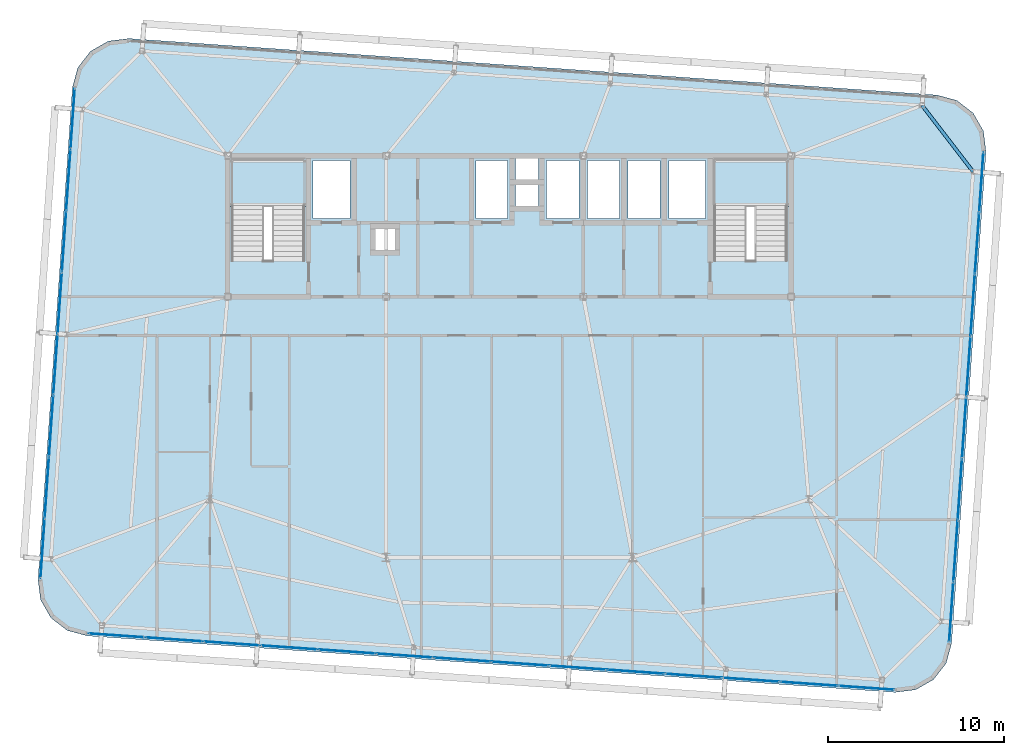
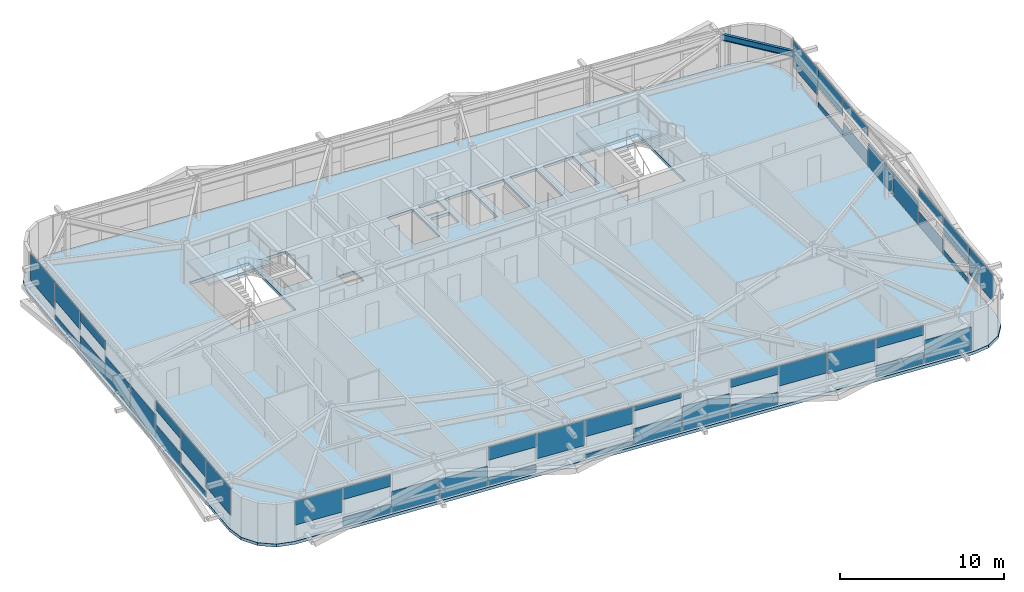
# One storey, part 31 of 47: 44 plates, 3 slabs, 1 beam, 5 elements without a shape of their own.
"""IFC4 building model written with IfcOpenShell, lengths in metres."""

from ifc_helpers import new_model, si_unit, direction, frame, origin, origin_2d, place, context, subcontext, project, spatial, polyline, rectangle, i_section, outline, extrude, source, transform, mapped, material, layer, layer_set, material_profile, profile_set, type_object, element, aggregate, save


model = new_model("IFC4")

# Units and contexts
model_context = context("Model", 3, precision=1e-05, world=origin(), true_north=direction((0.0, 1.0)))
body_context = subcontext(model_context, "Body", "Model", "MODEL_VIEW")
ifc_project = project(units=[si_unit("LENGTHUNIT", "METRE"), si_unit("AREAUNIT", "SQUARE_METRE"), si_unit("VOLUMEUNIT", "CUBIC_METRE"), si_unit("PLANEANGLEUNIT", "RADIAN"), si_unit("MASSUNIT", "GRAM", prefix="KILO")], contexts=[model_context])

# Site, building, storey
site_placement = place(None, origin())
site = spatial("IfcSite", under=ifc_project, at=site_placement, CompositionType="ELEMENT")
building_placement = place(site_placement, origin())
building = spatial("IfcBuilding", under=site, at=building_placement, Name="Taldren Reach Tower", CompositionType="ELEMENT")
storey_placement = place(building_placement, frame((0.0, 0.0, 139.300048828125)))
storey = spatial("IfcBuildingStorey", under=building, at=storey_placement, Name="L42", CompositionType="ELEMENT", Elevation=139.300048828125)

# Beam
ifc_material_1 = material(Name="Steel Gr 350 (350PLUS)", Category="steel")
ifc_material_profile = material_profile(ifc_material_1, i_section(OverallWidth=0.18994140625, OverallDepth=0.4541015625, WebThickness=0.008544921875, FlangeThickness=0.0126953125, at=origin_2d()), Name="460UB67.1")
ifc_profile_set = profile_set([ifc_material_profile], Name="Steel Gr 350 (350PLUS)")
beam_type = type_object("IfcBeamType", Name="SP-UB460B", PredefinedType="SPANDREL", material=ifc_profile_set)
shared_shape_1 = source(origin(), body_context, "Body", "SweptSolid", [
    extrude(i_section(OverallWidth=0.18994140625, OverallDepth=0.4541015625, WebThickness=0.008544921875, FlangeThickness=0.0126953125, at=origin_2d()), origin(), (0.0, 0.0, 1.0), 4.745849609375),
])
beam_placement = place(storey_placement, frame((61.3310546875, 31.1005859375, 2.702880859375), z_axis=(-0.609904656723, 0.792474800677, 0.0), x_axis=(-0.792474800677, -0.609904656723, 0.0)))
element("IfcBeam", 1, at=beam_placement, inside=storey, type_object=beam_type, Name="Perimeter spandrel B3 E3-N6 L42", PredefinedType="SPANDREL", context=body_context, shape_type="MappedRepresentation", body=[
    mapped(shared_shape_1, transform((0.0, 0.0, 0.0), scale=1.0)),
])

# Slab
ifc_material_2 = material(Name="Concrete N40 (40 MPa)", Category="concrete")
ifc_layer_1 = layer(ifc_material_2, 0.219970703125)
ifc_layer_set_1 = layer_set([ifc_layer_1], Name="Concrete N40 (40 MPa)")
slab_type_1 = type_object("IfcSlabType", Name="SL-FLR-220", PredefinedType="FLOOR", material=ifc_layer_set_1)
slab_1_placement = place(storey_placement, frame((0.0, 0.0, -0.219970703125)))
element("IfcSlab", 2, at=slab_1_placement, inside=storey, type_object=slab_type_1, Name="Suspended floor slab L42", PredefinedType="FLOOR", context=body_context, shape_type="SweptSolid", body=[
    extrude(outline(polyline([(56.908203125, 1.537109375), (58.0693359375, 1.684814453125), (59.08544921875, 2.265625), (59.80224609375, 3.191162109375), (60.110107421875, 4.320556640625), (62.063232421875, 32.252197265625), (61.91552734375, 33.413330078125), (61.334716796875, 34.4296875), (60.4091796875, 35.146240234375), (59.27978515625, 35.4541015625), (13.391845703125, 38.6630859375), (12.230712890625, 38.515380859375), (11.21435546875, 37.934326171875), (10.497802734375, 37.0087890625), (10.18994140625, 35.879638671875), (8.23681640625, 7.94775390625), (8.384521484375, 6.78662109375), (8.96533203125, 5.770263671875), (9.890869140625, 5.0537109375), (11.020263671875, 4.745849609375), (56.908203125, 1.537109375)]), holes=[polyline([(19.219970703125, 26.050048828125), (23.3798828125, 26.050048828125), (23.3798828125, 31.820068359375), (19.219970703125, 31.820068359375), (19.219970703125, 26.050048828125)]), polyline([(46.6201171875, 26.050048828125), (50.780029296875, 26.050048828125), (50.780029296875, 31.820068359375), (46.6201171875, 31.820068359375), (46.6201171875, 26.050048828125)]), polyline([(23.85009765625, 28.449951171875), (25.949951171875, 28.449951171875), (25.949951171875, 31.75), (23.85009765625, 31.75), (23.85009765625, 28.449951171875)]), polyline([(44.050048828125, 28.449951171875), (46.14990234375, 28.449951171875), (46.14990234375, 31.75), (44.050048828125, 31.75), (44.050048828125, 28.449951171875)]), polyline([(33.10009765625, 28.449951171875), (34.89990234375, 28.449951171875), (34.89990234375, 31.75), (33.10009765625, 31.75), (33.10009765625, 28.449951171875)]), polyline([(37.10009765625, 28.449951171875), (38.949951171875, 28.449951171875), (38.949951171875, 31.75), (37.10009765625, 31.75), (37.10009765625, 28.449951171875)]), polyline([(39.449951171875, 28.449951171875), (41.25, 28.449951171875), (41.25, 31.75), (39.449951171875, 31.75), (39.449951171875, 28.449951171875)]), polyline([(41.75, 28.449951171875), (43.550048828125, 28.449951171875), (43.550048828125, 31.75), (41.75, 31.75), (41.75, 28.449951171875)]), polyline([(35.35009765625, 30.64990234375), (36.64990234375, 30.64990234375), (36.64990234375, 31.85009765625), (35.35009765625, 31.85009765625), (35.35009765625, 30.64990234375)]), polyline([(35.35009765625, 29.14990234375), (36.64990234375, 29.14990234375), (36.64990234375, 30.35009765625), (35.35009765625, 30.35009765625), (35.35009765625, 29.14990234375)]), polyline([(27.39990234375, 26.64990234375), (28.5, 26.64990234375), (28.5, 27.85009765625), (27.39990234375, 27.85009765625), (27.39990234375, 26.64990234375)])]), origin(), (0.0, 0.0, 1.0), 0.219970703125),
])

# Stair, slab
ifc_material_3 = material(Name="Concrete S50 (50 MPa)", Category="concrete")
stair_type = type_object("IfcStairType", Name="ST-HT-315", PredefinedType="HALF_TURN_STAIR", material=ifc_material_3)
stair_1_placement = place(storey_placement, origin())
stair_1 = element("IfcStair", 3, at=stair_1_placement, inside=storey, type_object=stair_type, Name="Fire-isolated exit stair ST1 L42", PredefinedType="HALF_TURN_STAIR")
ifc_layer_2 = layer(ifc_material_3, 0.179931640625)
ifc_layer_set_2 = layer_set([ifc_layer_2], Name="Concrete S50 (50 MPa)")
slab_type_2 = type_object("IfcSlabType", Name="SL-LAND-180", PredefinedType="LANDING", material=ifc_layer_set_2)
slab_2_placement = place(storey_placement, frame((0.0, 0.0, 1.39501953125)))
slab_2 = element("IfcSlab", 4, at=slab_2_placement, type_object=slab_type_2, Name="ST1 landing 1", PredefinedType="LANDING", context=body_context, shape_type="SweptSolid", body=[
    extrude(outline(polyline([(19.0400390625, 29.135009765625), (23.56005859375, 29.135009765625), (23.56005859375, 31.8701171875), (19.0400390625, 31.8701171875), (19.0400390625, 29.135009765625)])), origin(), (0.0, 0.0, 1.0), 0.179931640625),
])
aggregate(stair_1, [slab_2])

stair_2_placement = place(storey_placement, origin())
stair_2 = element("IfcStair", 5, at=stair_2_placement, inside=storey, type_object=stair_type, Name="Fire-isolated exit stair ST2 L42", PredefinedType="HALF_TURN_STAIR")
slab_3_placement = place(storey_placement, frame((0.0, 0.0, 1.39501953125)))
slab_3 = element("IfcSlab", 6, at=slab_3_placement, type_object=slab_type_2, Name="ST2 landing 1", PredefinedType="LANDING", context=body_context, shape_type="SweptSolid", body=[
    extrude(outline(polyline([(46.43994140625, 29.135009765625), (50.9599609375, 29.135009765625), (50.9599609375, 31.8701171875), (46.43994140625, 31.8701171875), (46.43994140625, 29.135009765625)])), origin(), (0.0, 0.0, 1.0), 0.179931640625),
])
aggregate(stair_2, [slab_3])

# Curtain wall, plates
ifc_material_4 = material(Name="Aluminium and Low-E Glass Unitised System", Category="aluminium")
ifc_layer_3 = layer(ifc_material_4, 0.159912109375)
ifc_layer_set_3 = layer_set([ifc_layer_3], Name="Aluminium and Low-E Glass Unitised System")
curtain_wall_type = type_object("IfcCurtainWallType", Name="CW-SYS-4", PredefinedType="NOTDEFINED", material=ifc_layer_set_3)
curtain_wall_1_placement = place(storey_placement, origin())
curtain_wall_1 = element("IfcCurtainWall", 7, at=curtain_wall_1_placement, inside=storey, type_object=curtain_wall_type, Name="Unitised curtain wall CW-L42-S", PredefinedType="NOTDEFINED")
ifc_material_5 = material(Name="Solar-Control Double Glazed IGU", Category="glass")
ifc_layer_4 = layer(ifc_material_5, 0.031982421875)
ifc_layer_set_4 = layer_set([ifc_layer_4], Name="Solar-Control Double Glazed IGU")
plate_type = type_object("IfcPlateType", Name="CW-PNL-IGU32", PredefinedType="CURTAIN_PANEL", material=ifc_layer_set_4)
shared_shape_2 = source(origin(), body_context, "Body", "SweptSolid", [
    extrude(rectangle(XDim=3.1806640625, YDim=0.031982421875, at=origin_2d()), origin(), (0.0, 0.0, 1.0), 1.766845703125),
])
plate_1_placement = place(storey_placement, frame((12.686279296875, 4.76953125, 1.10791015625), z_axis=(0.0, 0.0, 1.0), x_axis=(0.99756404731, -0.06975651593, 0.0)))
plate_1 = element("IfcPlate", 8, at=plate_1_placement, type_object=plate_type, Name="CW-4 panel 1.1 part 1", PredefinedType="CURTAIN_PANEL", context=body_context, shape_type="MappedRepresentation", body=[
    mapped(shared_shape_2, transform((0.0, 0.0, 0.0), scale=1.0)),
])
shared_shape_3 = source(origin(), body_context, "Body", "SweptSolid", [
    extrude(rectangle(XDim=3.2158203125, YDim=0.031982421875, at=origin_2d()), origin(), (0.0, 0.0, 1.0), 0.63720703125),
])
plate_2_placement = place(storey_placement, frame((15.946533203125, 4.541748046875, 0.054931640625), z_axis=(0.0, 0.0, 1.0), x_axis=(0.99756404731, -0.06975651593, 0.0)))
plate_2 = element("IfcPlate", 9, at=plate_2_placement, type_object=plate_type, Name="CW-4 panel 2.1 part 1", PredefinedType="CURTAIN_PANEL", context=body_context, shape_type="MappedRepresentation", body=[
    mapped(shared_shape_3, transform((0.0, 0.0, 0.0), scale=1.0)),
])
shared_shape_4 = source(origin(), body_context, "Body", "SweptSolid", [
    extrude(rectangle(XDim=3.2158203125, YDim=0.031982421875, at=origin_2d()), origin(), (0.0, 0.0, 1.0), 0.86767578125),
])
plate_3_placement = place(storey_placement, frame((15.946533203125, 4.541748046875, 2.00732421875), z_axis=(0.0, 0.0, 1.0), x_axis=(0.99756404731, -0.06975651593, 0.0)))
plate_3 = element("IfcPlate", 10, at=plate_3_placement, type_object=plate_type, Name="CW-4 panel 2.1 part 2", PredefinedType="CURTAIN_PANEL", context=body_context, shape_type="MappedRepresentation", body=[
    mapped(shared_shape_4, transform((0.0, 0.0, 0.0), scale=1.0)),
])
shared_shape_5 = source(origin(), body_context, "Body", "SweptSolid", [
    extrude(rectangle(XDim=3.2158203125, YDim=0.031982421875, at=origin_2d()), origin(), (0.0, 0.0, 1.0), 1.536376953125),
])
plate_4_placement = place(storey_placement, frame((19.22412109375, 4.3125, 0.05517578125), z_axis=(0.0, 0.0, 1.0), x_axis=(0.99756404731, -0.06975651593, 0.0)))
plate_4 = element("IfcPlate", 11, at=plate_4_placement, type_object=plate_type, Name="CW-4 panel 3.1 part 1", PredefinedType="CURTAIN_PANEL", context=body_context, shape_type="MappedRepresentation", body=[
    mapped(shared_shape_5, transform((0.0, 0.0, 0.0), scale=1.0)),
])
shared_shape_6 = source(origin(), body_context, "Body", "SweptSolid", [
    extrude(rectangle(XDim=3.2158203125, YDim=0.031982421875, at=origin_2d()), origin(), (0.0, 0.0, 1.0), 1.439453125),
])
plate_5_placement = place(storey_placement, frame((22.501953125, 4.083251953125, 0.054931640625), z_axis=(0.0, 0.0, 1.0), x_axis=(0.99756404731, -0.06975651593, 0.0)))
plate_5 = element("IfcPlate", 12, at=plate_5_placement, type_object=plate_type, Name="CW-4 panel 4.1 part 1", PredefinedType="CURTAIN_PANEL", context=body_context, shape_type="MappedRepresentation", body=[
    mapped(shared_shape_6, transform((0.0, 0.0, 0.0), scale=1.0)),
])
shared_shape_7 = source(origin(), body_context, "Body", "SweptSolid", [
    extrude(rectangle(XDim=3.2158203125, YDim=0.031982421875, at=origin_2d()), origin(), (0.0, 0.0, 1.0), 0.540283203125),
])
plate_6_placement = place(storey_placement, frame((25.779541015625, 3.85400390625, 0.05517578125), z_axis=(0.0, 0.0, 1.0), x_axis=(0.99756404731, -0.06975651593, 0.0)))
plate_6 = element("IfcPlate", 13, at=plate_6_placement, type_object=plate_type, Name="CW-4 panel 5.1 part 1", PredefinedType="CURTAIN_PANEL", context=body_context, shape_type="MappedRepresentation", body=[
    mapped(shared_shape_7, transform((0.0, 0.0, 0.0), scale=1.0)),
])
shared_shape_8 = source(origin(), body_context, "Body", "SweptSolid", [
    extrude(rectangle(XDim=3.2158203125, YDim=0.031982421875, at=origin_2d()), origin(), (0.0, 0.0, 1.0), 0.964599609375),
])
plate_7_placement = place(storey_placement, frame((25.779541015625, 3.85400390625, 1.91015625), z_axis=(0.0, 0.0, 1.0), x_axis=(0.99756404731, -0.06975651593, 0.0)))
plate_7 = element("IfcPlate", 14, at=plate_7_placement, type_object=plate_type, Name="CW-4 panel 5.1 part 2", PredefinedType="CURTAIN_PANEL", context=body_context, shape_type="MappedRepresentation", body=[
    mapped(shared_shape_8, transform((0.0, 0.0, 0.0), scale=1.0)),
])
shared_shape_9 = source(origin(), body_context, "Body", "SweptSolid", [
    extrude(rectangle(XDim=3.2158203125, YDim=0.031982421875, at=origin_2d()), origin(), (0.0, 0.0, 1.0), 1.86376953125),
])
plate_8_placement = place(storey_placement, frame((29.057373046875, 3.624755859375, 1.01123046875), z_axis=(0.0, 0.0, 1.0), x_axis=(0.99756404731, -0.06975651593, 0.0)))
plate_8 = element("IfcPlate", 15, at=plate_8_placement, type_object=plate_type, Name="CW-4 panel 6.1 part 1", PredefinedType="CURTAIN_PANEL", context=body_context, shape_type="MappedRepresentation", body=[
    mapped(shared_shape_9, transform((0.0, 0.0, 0.0), scale=1.0)),
])
shared_shape_10 = source(origin(), body_context, "Body", "SweptSolid", [
    extrude(rectangle(XDim=3.2158203125, YDim=0.031982421875, at=origin_2d()), origin(), (0.0, 0.0, 1.0), 0.27294921875),
])
plate_9_placement = place(storey_placement, frame((32.3349609375, 3.395751953125, 0.054931640625), z_axis=(0.0, 0.0, 1.0), x_axis=(0.99756404731, -0.06975651593, 0.0)))
plate_9 = element("IfcPlate", 16, at=plate_9_placement, type_object=plate_type, Name="CW-4 panel 7.1 part 1", PredefinedType="CURTAIN_PANEL", context=body_context, shape_type="MappedRepresentation", body=[
    mapped(shared_shape_10, transform((0.0, 0.0, 0.0), scale=1.0)),
])
shared_shape_11 = source(origin(), body_context, "Body", "SweptSolid", [
    extrude(rectangle(XDim=3.2158203125, YDim=0.031982421875, at=origin_2d()), origin(), (0.0, 0.0, 1.0), 1.23193359375),
])
plate_10_placement = place(storey_placement, frame((32.3349609375, 3.395751953125, 1.64306640625), z_axis=(0.0, 0.0, 1.0), x_axis=(0.99756404731, -0.06975651593, 0.0)))
plate_10 = element("IfcPlate", 17, at=plate_10_placement, type_object=plate_type, Name="CW-4 panel 7.1 part 2", PredefinedType="CURTAIN_PANEL", context=body_context, shape_type="MappedRepresentation", body=[
    mapped(shared_shape_11, transform((0.0, 0.0, 0.0), scale=1.0)),
])
shared_shape_12 = source(origin(), body_context, "Body", "SweptSolid", [
    extrude(rectangle(XDim=3.2158203125, YDim=0.031982421875, at=origin_2d()), origin(), (0.0, 0.0, 1.0), 1.172119140625),
])
plate_11_placement = place(storey_placement, frame((35.61279296875, 3.16650390625, 0.0546875), z_axis=(0.0, 0.0, 1.0), x_axis=(0.99756404731, -0.06975651593, 0.0)))
plate_11 = element("IfcPlate", 18, at=plate_11_placement, type_object=plate_type, Name="CW-4 panel 8.1 part 1", PredefinedType="CURTAIN_PANEL", context=body_context, shape_type="MappedRepresentation", body=[
    mapped(shared_shape_12, transform((0.0, 0.0, 0.0), scale=1.0)),
])
shared_shape_13 = source(origin(), body_context, "Body", "SweptSolid", [
    extrude(rectangle(XDim=3.2158203125, YDim=0.031982421875, at=origin_2d()), origin(), (0.0, 0.0, 1.0), 0.3330078125),
])
plate_12_placement = place(storey_placement, frame((35.61279296875, 3.16650390625, 2.5419921875), z_axis=(0.0, 0.0, 1.0), x_axis=(0.99756404731, -0.06975651593, 0.0)))
plate_12 = element("IfcPlate", 19, at=plate_12_placement, type_object=plate_type, Name="CW-4 panel 8.1 part 2", PredefinedType="CURTAIN_PANEL", context=body_context, shape_type="MappedRepresentation", body=[
    mapped(shared_shape_13, transform((0.0, 0.0, 0.0), scale=1.0)),
])
shared_shape_14 = source(origin(), body_context, "Body", "SweptSolid", [
    extrude(rectangle(XDim=3.2158203125, YDim=0.031982421875, at=origin_2d()), origin(), (0.0, 0.0, 1.0), 1.8037109375),
])
plate_13_placement = place(storey_placement, frame((38.890380859375, 2.937255859375, 0.054931640625), z_axis=(0.0, 0.0, 1.0), x_axis=(0.99756404731, -0.06975651593, 0.0)))
plate_13 = element("IfcPlate", 20, at=plate_13_placement, type_object=plate_type, Name="CW-4 panel 9.1 part 1", PredefinedType="CURTAIN_PANEL", context=body_context, shape_type="MappedRepresentation", body=[
    mapped(shared_shape_14, transform((0.0, 0.0, 0.0), scale=1.0)),
])
shared_shape_15 = source(origin(), body_context, "Body", "SweptSolid", [
    extrude(rectangle(XDim=3.2158203125, YDim=0.031982421875, at=origin_2d()), origin(), (0.0, 0.0, 1.0), 0.904541015625),
])
plate_14_placement = place(storey_placement, frame((42.168212890625, 2.7080078125, 0.05517578125), z_axis=(0.0, 0.0, 1.0), x_axis=(0.99756404731, -0.06975651593, 0.0)))
plate_14 = element("IfcPlate", 21, at=plate_14_placement, type_object=plate_type, Name="CW-4 panel 10.1 part 1", PredefinedType="CURTAIN_PANEL", context=body_context, shape_type="MappedRepresentation", body=[
    mapped(shared_shape_15, transform((0.0, 0.0, 0.0), scale=1.0)),
])
shared_shape_16 = source(origin(), body_context, "Body", "SweptSolid", [
    extrude(rectangle(XDim=3.2158203125, YDim=0.031982421875, at=origin_2d()), origin(), (0.0, 0.0, 1.0), 0.600341796875),
])
plate_15_placement = place(storey_placement, frame((42.168212890625, 2.7080078125, 2.2744140625), z_axis=(0.0, 0.0, 1.0), x_axis=(0.99756404731, -0.06975651593, 0.0)))
plate_15 = element("IfcPlate", 22, at=plate_15_placement, type_object=plate_type, Name="CW-4 panel 10.1 part 2", PredefinedType="CURTAIN_PANEL", context=body_context, shape_type="MappedRepresentation", body=[
    mapped(shared_shape_16, transform((0.0, 0.0, 0.0), scale=1.0)),
])
shared_shape_17 = source(origin(), body_context, "Body", "SweptSolid", [
    extrude(rectangle(XDim=3.2158203125, YDim=0.031982421875, at=origin_2d()), origin(), (0.0, 0.0, 1.0), 1.49951171875),
])
plate_16_placement = place(storey_placement, frame((45.44580078125, 2.478759765625, 1.37548828125), z_axis=(0.0, 0.0, 1.0), x_axis=(0.99756404731, -0.06975651593, 0.0)))
plate_16 = element("IfcPlate", 23, at=plate_16_placement, type_object=plate_type, Name="CW-4 panel 11.1 part 1", PredefinedType="CURTAIN_PANEL", context=body_context, shape_type="MappedRepresentation", body=[
    mapped(shared_shape_17, transform((0.0, 0.0, 0.0), scale=1.0)),
])
shared_shape_18 = source(origin(), body_context, "Body", "SweptSolid", [
    extrude(rectangle(XDim=3.2158203125, YDim=0.031982421875, at=origin_2d()), origin(), (0.0, 0.0, 1.0), 1.596435546875),
])
plate_17_placement = place(storey_placement, frame((48.7236328125, 2.249755859375, 1.2783203125), z_axis=(0.0, 0.0, 1.0), x_axis=(0.99756404731, -0.06975651593, 0.0)))
plate_17 = element("IfcPlate", 24, at=plate_17_placement, type_object=plate_type, Name="CW-4 panel 12.1 part 1", PredefinedType="CURTAIN_PANEL", context=body_context, shape_type="MappedRepresentation", body=[
    mapped(shared_shape_18, transform((0.0, 0.0, 0.0), scale=1.0)),
])
shared_shape_19 = source(origin(), body_context, "Body", "SweptSolid", [
    extrude(rectangle(XDim=3.2158203125, YDim=0.031982421875, at=origin_2d()), origin(), (0.0, 0.0, 1.0), 0.8076171875),
])
plate_18_placement = place(storey_placement, frame((52.001220703125, 2.0205078125, 0.054931640625), z_axis=(0.0, 0.0, 1.0), x_axis=(0.99756404731, -0.06975651593, 0.0)))
plate_18 = element("IfcPlate", 25, at=plate_18_placement, type_object=plate_type, Name="CW-4 panel 13.1 part 1", PredefinedType="CURTAIN_PANEL", context=body_context, shape_type="MappedRepresentation", body=[
    mapped(shared_shape_19, transform((0.0, 0.0, 0.0), scale=1.0)),
])
shared_shape_20 = source(origin(), body_context, "Body", "SweptSolid", [
    extrude(rectangle(XDim=3.2158203125, YDim=0.031982421875, at=origin_2d()), origin(), (0.0, 0.0, 1.0), 0.697265625),
])
plate_19_placement = place(storey_placement, frame((52.001220703125, 2.0205078125, 2.177734375), z_axis=(0.0, 0.0, 1.0), x_axis=(0.99756404731, -0.06975651593, 0.0)))
plate_19 = element("IfcPlate", 26, at=plate_19_placement, type_object=plate_type, Name="CW-4 panel 13.1 part 2", PredefinedType="CURTAIN_PANEL", context=body_context, shape_type="MappedRepresentation", body=[
    mapped(shared_shape_20, transform((0.0, 0.0, 0.0), scale=1.0)),
])
shared_shape_21 = source(origin(), body_context, "Body", "SweptSolid", [
    extrude(rectangle(XDim=3.1806640625, YDim=0.031982421875, at=origin_2d()), origin(), (0.0, 0.0, 1.0), 1.706787109375),
])
plate_20_placement = place(storey_placement, frame((55.261474609375, 1.79248046875, 0.05517578125), z_axis=(0.0, 0.0, 1.0), x_axis=(0.99756404731, -0.06975651593, 0.0)))
plate_20 = element("IfcPlate", 27, at=plate_20_placement, type_object=plate_type, Name="CW-4 panel 14.1 part 1", PredefinedType="CURTAIN_PANEL", context=body_context, shape_type="MappedRepresentation", body=[
    mapped(shared_shape_21, transform((0.0, 0.0, 0.0), scale=1.0)),
])
aggregate(curtain_wall_1, [plate_1, plate_2, plate_3, plate_4, plate_5, plate_6, plate_7, plate_8, plate_9, plate_10, plate_11, plate_12, plate_13, plate_14, plate_15, plate_16, plate_17, plate_18, plate_19, plate_20])

curtain_wall_2_placement = place(storey_placement, origin())
curtain_wall_2 = element("IfcCurtainWall", 28, at=curtain_wall_2_placement, inside=storey, type_object=curtain_wall_type, Name="Unitised curtain wall CW-L42-W", PredefinedType="NOTDEFINED")
shared_shape_22 = source(origin(), body_context, "Body", "SweptSolid", [
    extrude(rectangle(XDim=3.39501953125, YDim=0.031982421875, at=origin_2d()), origin(), (0.0, 0.0, 1.0), 2.01123046875),
])
plate_21_placement = place(storey_placement, frame((10.206298828125, 34.106689453125, 0.86376953125), z_axis=(0.0, 0.0, 1.0), x_axis=(-0.069756437251, -0.997564052812, 0.0)))
plate_21 = element("IfcPlate", 29, at=plate_21_placement, type_object=plate_type, Name="CW-4 panel 1.1 part 1", PredefinedType="CURTAIN_PANEL", context=body_context, shape_type="MappedRepresentation", body=[
    mapped(shared_shape_22, transform((0.0, 0.0, 0.0), scale=1.0)),
])
plate_22_placement = place(storey_placement, frame((8.499755859375, 9.701171875, 0.86376953125), z_axis=(0.0, 0.0, 1.0), x_axis=(-0.069756437251, -0.997564052812, 0.0)))
plate_22 = element("IfcPlate", 30, at=plate_22_placement, type_object=plate_type, Name="CW-4 panel 8.1 part 1", PredefinedType="CURTAIN_PANEL", context=body_context, shape_type="MappedRepresentation", body=[
    mapped(shared_shape_22, transform((0.0, 0.0, 0.0), scale=1.0)),
])

curtain_wall_3_placement = place(storey_placement, origin())
curtain_wall_3 = element("IfcCurtainWall", 31, at=curtain_wall_3_placement, inside=storey, type_object=curtain_wall_type, Name="Unitised curtain wall CW-L42-E", PredefinedType="NOTDEFINED")
plate_23_placement = place(storey_placement, frame((60.09375, 6.093505859375, 0.86376953125), z_axis=(0.0, 0.0, 1.0), x_axis=(0.069756437251, 0.997564052812, 0.0)))
plate_23 = element("IfcPlate", 32, at=plate_23_placement, type_object=plate_type, Name="CW-4 panel 1.1 part 1", PredefinedType="CURTAIN_PANEL", context=body_context, shape_type="MappedRepresentation", body=[
    mapped(shared_shape_22, transform((0.0, 0.0, 0.0), scale=1.0)),
])
plate_24_placement = place(storey_placement, frame((61.80029296875, 30.498779296875, 0.86376953125), z_axis=(0.0, 0.0, 1.0), x_axis=(0.069756437251, 0.997564052812, 0.0)))
plate_24 = element("IfcPlate", 33, at=plate_24_placement, type_object=plate_type, Name="CW-4 panel 8.1 part 1", PredefinedType="CURTAIN_PANEL", context=body_context, shape_type="MappedRepresentation", body=[
    mapped(shared_shape_22, transform((0.0, 0.0, 0.0), scale=1.0)),
])

# Plate
shared_shape_23 = source(origin(), body_context, "Body", "SweptSolid", [
    extrude(rectangle(XDim=3.429931640625, YDim=0.031982421875, at=origin_2d()), origin(), (0.0, 0.0, 1.0), 0.39453125),
])
plate_25_placement = place(storey_placement, frame((9.96337890625, 30.632568359375, 0.054931640625), z_axis=(0.0, 0.0, 1.0), x_axis=(-0.069756437251, -0.997564052812, 0.0)))
plate_25 = element("IfcPlate", 34, at=plate_25_placement, type_object=plate_type, Name="CW-4 panel 2.1 part 1", PredefinedType="CURTAIN_PANEL", context=body_context, shape_type="MappedRepresentation", body=[
    mapped(shared_shape_23, transform((0.0, 0.0, 0.0), scale=1.0)),
])

plate_26_placement = place(storey_placement, frame((8.74267578125, 13.17529296875, 0.054931640625), z_axis=(0.0, 0.0, 1.0), x_axis=(-0.069756437251, -0.997564052812, 0.0)))
plate_26 = element("IfcPlate", 35, at=plate_26_placement, type_object=plate_type, Name="CW-4 panel 7.1 part 1", PredefinedType="CURTAIN_PANEL", context=body_context, shape_type="MappedRepresentation", body=[
    mapped(shared_shape_23, transform((0.0, 0.0, 0.0), scale=1.0)),
])

plate_27_placement = place(storey_placement, frame((60.336669921875, 9.5673828125, 0.054931640625), z_axis=(0.0, 0.0, 1.0), x_axis=(0.069756437251, 0.997564052812, 0.0)))
plate_27 = element("IfcPlate", 36, at=plate_27_placement, type_object=plate_type, Name="CW-4 panel 2.1 part 1", PredefinedType="CURTAIN_PANEL", context=body_context, shape_type="MappedRepresentation", body=[
    mapped(shared_shape_23, transform((0.0, 0.0, 0.0), scale=1.0)),
])

plate_28_placement = place(storey_placement, frame((61.557373046875, 27.024658203125, 0.054931640625), z_axis=(0.0, 0.0, 1.0), x_axis=(0.069756437251, 0.997564052812, 0.0)))
plate_28 = element("IfcPlate", 37, at=plate_28_placement, type_object=plate_type, Name="CW-4 panel 7.1 part 1", PredefinedType="CURTAIN_PANEL", context=body_context, shape_type="MappedRepresentation", body=[
    mapped(shared_shape_23, transform((0.0, 0.0, 0.0), scale=1.0)),
])

shared_shape_24 = source(origin(), body_context, "Body", "SweptSolid", [
    extrude(rectangle(XDim=3.429931640625, YDim=0.031982421875, at=origin_2d()), origin(), (0.0, 0.0, 1.0), 1.346923828125),
])
plate_29_placement = place(storey_placement, frame((9.96337890625, 30.632568359375, 1.52783203125), z_axis=(0.0, 0.0, 1.0), x_axis=(-0.069756437251, -0.997564052812, 0.0)))
plate_29 = element("IfcPlate", 38, at=plate_29_placement, type_object=plate_type, Name="CW-4 panel 2.1 part 2", PredefinedType="CURTAIN_PANEL", context=body_context, shape_type="MappedRepresentation", body=[
    mapped(shared_shape_24, transform((0.0, 0.0, 0.0), scale=1.0)),
])

plate_30_placement = place(storey_placement, frame((8.74267578125, 13.17529296875, 1.52783203125), z_axis=(0.0, 0.0, 1.0), x_axis=(-0.069756437251, -0.997564052812, 0.0)))
plate_30 = element("IfcPlate", 39, at=plate_30_placement, type_object=plate_type, Name="CW-4 panel 7.1 part 2", PredefinedType="CURTAIN_PANEL", context=body_context, shape_type="MappedRepresentation", body=[
    mapped(shared_shape_24, transform((0.0, 0.0, 0.0), scale=1.0)),
])

plate_31_placement = place(storey_placement, frame((60.336669921875, 9.5673828125, 1.52783203125), z_axis=(0.0, 0.0, 1.0), x_axis=(0.069756437251, 0.997564052812, 0.0)))
plate_31 = element("IfcPlate", 40, at=plate_31_placement, type_object=plate_type, Name="CW-4 panel 2.1 part 2", PredefinedType="CURTAIN_PANEL", context=body_context, shape_type="MappedRepresentation", body=[
    mapped(shared_shape_24, transform((0.0, 0.0, 0.0), scale=1.0)),
])

plate_32_placement = place(storey_placement, frame((61.557373046875, 27.024658203125, 1.52783203125), z_axis=(0.0, 0.0, 1.0), x_axis=(0.069756437251, 0.997564052812, 0.0)))
plate_32 = element("IfcPlate", 41, at=plate_32_placement, type_object=plate_type, Name="CW-4 panel 7.1 part 2", PredefinedType="CURTAIN_PANEL", context=body_context, shape_type="MappedRepresentation", body=[
    mapped(shared_shape_24, transform((0.0, 0.0, 0.0), scale=1.0)),
])

shared_shape_25 = source(origin(), body_context, "Body", "SweptSolid", [
    extrude(rectangle(XDim=3.429931640625, YDim=0.031982421875, at=origin_2d()), origin(), (0.0, 0.0, 1.0), 1.05908203125),
])
plate_33_placement = place(storey_placement, frame((9.71923828125, 27.14111328125, 0.054931640625), z_axis=(0.0, 0.0, 1.0), x_axis=(-0.069756437251, -0.997564052812, 0.0)))
plate_33 = element("IfcPlate", 42, at=plate_33_placement, type_object=plate_type, Name="CW-4 panel 3.1 part 1", PredefinedType="CURTAIN_PANEL", context=body_context, shape_type="MappedRepresentation", body=[
    mapped(shared_shape_25, transform((0.0, 0.0, 0.0), scale=1.0)),
])

plate_34_placement = place(storey_placement, frame((8.98681640625, 16.666748046875, 0.054931640625), z_axis=(0.0, 0.0, 1.0), x_axis=(-0.069756437251, -0.997564052812, 0.0)))
plate_34 = element("IfcPlate", 43, at=plate_34_placement, type_object=plate_type, Name="CW-4 panel 6.1 part 1", PredefinedType="CURTAIN_PANEL", context=body_context, shape_type="MappedRepresentation", body=[
    mapped(shared_shape_25, transform((0.0, 0.0, 0.0), scale=1.0)),
])

plate_35_placement = place(storey_placement, frame((60.580810546875, 13.058837890625, 0.054931640625), z_axis=(0.0, 0.0, 1.0), x_axis=(0.069756437251, 0.997564052812, 0.0)))
plate_35 = element("IfcPlate", 44, at=plate_35_placement, type_object=plate_type, Name="CW-4 panel 3.1 part 1", PredefinedType="CURTAIN_PANEL", context=body_context, shape_type="MappedRepresentation", body=[
    mapped(shared_shape_25, transform((0.0, 0.0, 0.0), scale=1.0)),
])

plate_36_placement = place(storey_placement, frame((61.313232421875, 23.533203125, 0.054931640625), z_axis=(0.0, 0.0, 1.0), x_axis=(0.069756437251, 0.997564052812, 0.0)))
plate_36 = element("IfcPlate", 45, at=plate_36_placement, type_object=plate_type, Name="CW-4 panel 6.1 part 1", PredefinedType="CURTAIN_PANEL", context=body_context, shape_type="MappedRepresentation", body=[
    mapped(shared_shape_25, transform((0.0, 0.0, 0.0), scale=1.0)),
])

shared_shape_26 = source(origin(), body_context, "Body", "SweptSolid", [
    extrude(rectangle(XDim=3.429931640625, YDim=0.031982421875, at=origin_2d()), origin(), (0.0, 0.0, 1.0), 0.682373046875),
])
plate_37_placement = place(storey_placement, frame((9.71923828125, 27.14111328125, 2.1923828125), z_axis=(0.0, 0.0, 1.0), x_axis=(-0.069756437251, -0.997564052812, 0.0)))
plate_37 = element("IfcPlate", 46, at=plate_37_placement, type_object=plate_type, Name="CW-4 panel 3.1 part 2", PredefinedType="CURTAIN_PANEL", context=body_context, shape_type="MappedRepresentation", body=[
    mapped(shared_shape_26, transform((0.0, 0.0, 0.0), scale=1.0)),
])

plate_38_placement = place(storey_placement, frame((8.98681640625, 16.666748046875, 2.1923828125), z_axis=(0.0, 0.0, 1.0), x_axis=(-0.069756437251, -0.997564052812, 0.0)))
plate_38 = element("IfcPlate", 47, at=plate_38_placement, type_object=plate_type, Name="CW-4 panel 6.1 part 2", PredefinedType="CURTAIN_PANEL", context=body_context, shape_type="MappedRepresentation", body=[
    mapped(shared_shape_26, transform((0.0, 0.0, 0.0), scale=1.0)),
])

plate_39_placement = place(storey_placement, frame((60.580810546875, 13.058837890625, 2.1923828125), z_axis=(0.0, 0.0, 1.0), x_axis=(0.069756437251, 0.997564052812, 0.0)))
plate_39 = element("IfcPlate", 48, at=plate_39_placement, type_object=plate_type, Name="CW-4 panel 3.1 part 2", PredefinedType="CURTAIN_PANEL", context=body_context, shape_type="MappedRepresentation", body=[
    mapped(shared_shape_26, transform((0.0, 0.0, 0.0), scale=1.0)),
])

plate_40_placement = place(storey_placement, frame((61.313232421875, 23.533203125, 2.1923828125), z_axis=(0.0, 0.0, 1.0), x_axis=(0.069756437251, 0.997564052812, 0.0)))
plate_40 = element("IfcPlate", 49, at=plate_40_placement, type_object=plate_type, Name="CW-4 panel 6.1 part 2", PredefinedType="CURTAIN_PANEL", context=body_context, shape_type="MappedRepresentation", body=[
    mapped(shared_shape_26, transform((0.0, 0.0, 0.0), scale=1.0)),
])

shared_shape_27 = source(origin(), body_context, "Body", "SweptSolid", [
    extrude(rectangle(XDim=3.429931640625, YDim=0.031982421875, at=origin_2d()), origin(), (0.0, 0.0, 1.0), 1.7236328125),
])
plate_41_placement = place(storey_placement, frame((9.47509765625, 23.649658203125, 0.054931640625), z_axis=(0.0, 0.0, 1.0), x_axis=(-0.069756437251, -0.997564052812, 0.0)))
plate_41 = element("IfcPlate", 50, at=plate_41_placement, type_object=plate_type, Name="CW-4 panel 4.1 part 1", PredefinedType="CURTAIN_PANEL", context=body_context, shape_type="MappedRepresentation", body=[
    mapped(shared_shape_27, transform((0.0, 0.0, 0.0), scale=1.0)),
])

plate_42_placement = place(storey_placement, frame((9.23095703125, 20.158203125, 0.054931640625), z_axis=(0.0, 0.0, 1.0), x_axis=(-0.069756437251, -0.997564052812, 0.0)))
plate_42 = element("IfcPlate", 51, at=plate_42_placement, type_object=plate_type, Name="CW-4 panel 5.1 part 1", PredefinedType="CURTAIN_PANEL", context=body_context, shape_type="MappedRepresentation", body=[
    mapped(shared_shape_27, transform((0.0, 0.0, 0.0), scale=1.0)),
])

aggregate(curtain_wall_2, [plate_21, plate_25, plate_29, plate_33, plate_37, plate_41, plate_42, plate_34, plate_38, plate_26, plate_30, plate_22])

plate_43_placement = place(storey_placement, frame((60.824951171875, 16.55029296875, 0.054931640625), z_axis=(0.0, 0.0, 1.0), x_axis=(0.069756437251, 0.997564052812, 0.0)))
plate_43 = element("IfcPlate", 52, at=plate_43_placement, type_object=plate_type, Name="CW-4 panel 4.1 part 1", PredefinedType="CURTAIN_PANEL", context=body_context, shape_type="MappedRepresentation", body=[
    mapped(shared_shape_27, transform((0.0, 0.0, 0.0), scale=1.0)),
])

plate_44_placement = place(storey_placement, frame((61.069091796875, 20.041748046875, 0.054931640625), z_axis=(0.0, 0.0, 1.0), x_axis=(0.069756437251, 0.997564052812, 0.0)))
plate_44 = element("IfcPlate", 53, at=plate_44_placement, type_object=plate_type, Name="CW-4 panel 5.1 part 1", PredefinedType="CURTAIN_PANEL", context=body_context, shape_type="MappedRepresentation", body=[
    mapped(shared_shape_27, transform((0.0, 0.0, 0.0), scale=1.0)),
])

aggregate(curtain_wall_3, [plate_23, plate_27, plate_31, plate_35, plate_39, plate_43, plate_44, plate_36, plate_40, plate_28, plate_32, plate_24])

save(model, "model.ifc")
